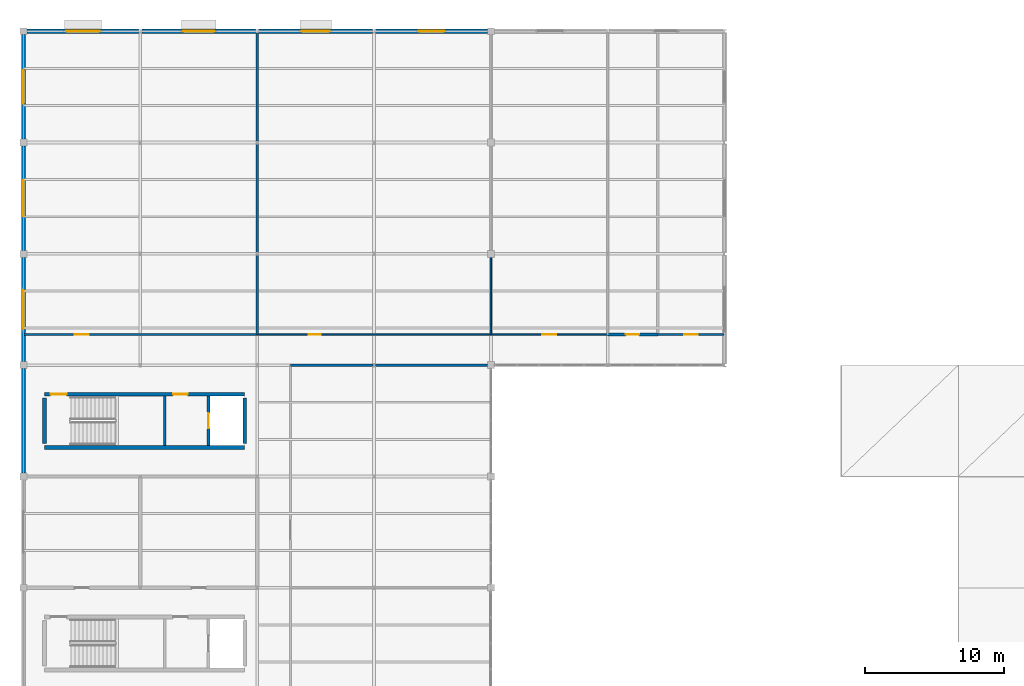
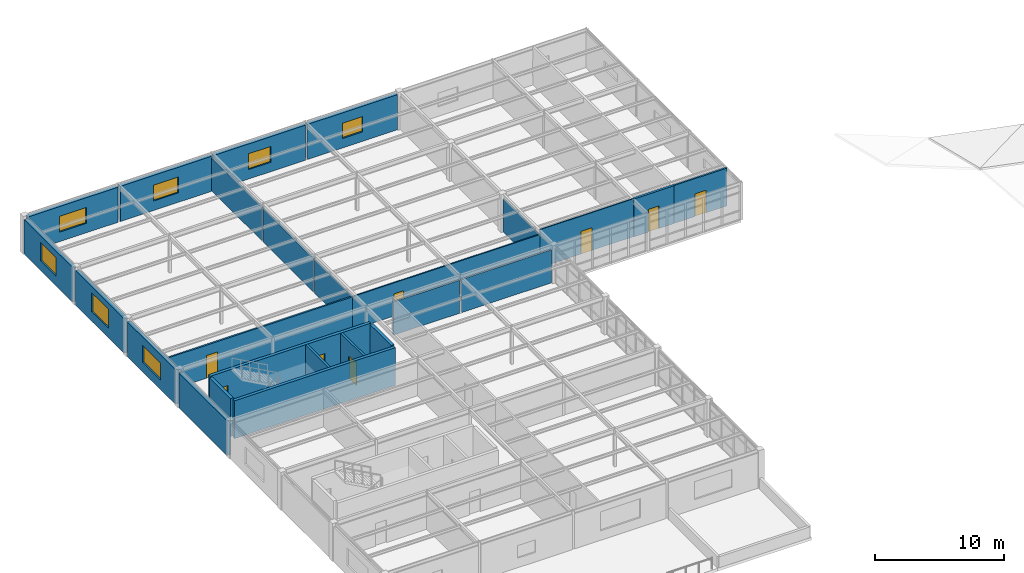
# One storey, part 26 of 32: 25 walls, 8 doors, 7 windows, 15 openings.
"""IFC4 building model written with IfcOpenShell, lengths in metres."""

from ifc_helpers import new_model, si_unit, direction, frame, frame_2d, origin, place, context, subcontext, project, spatial, rectangle, extrude, material, layer, layer_set, type_object, element, fill, save


model = new_model("IFC4")

# Units and contexts
model_context = context("Model", 3, precision=1e-05, world=origin(), true_north=direction((0.0, 1.0)))
body_context = subcontext(model_context, "Body", "Model", "MODEL_VIEW")
ifc_project = project(units=[si_unit("LENGTHUNIT", "METRE"), si_unit("AREAUNIT", "SQUARE_METRE"), si_unit("VOLUMEUNIT", "CUBIC_METRE"), si_unit("PLANEANGLEUNIT", "RADIAN"), si_unit("MASSUNIT", "GRAM", prefix="KILO")], contexts=[model_context])

# Site, building, storey
site_placement = place(None, origin())
site = spatial("IfcSite", under=ifc_project, at=site_placement, CompositionType="ELEMENT")
building_placement = place(site_placement, origin())
building = spatial("IfcBuilding", under=site, at=building_placement, Name="Kranzveld Transit Interchange", CompositionType="ELEMENT")
storey_placement = place(building_placement, frame((0.0, 0.0, 17.199951171875)))
storey = spatial("IfcBuildingStorey", under=building, at=storey_placement, Name="L04", CompositionType="ELEMENT", Elevation=17.199951171875)

# Walls
ifc_material_1 = material(Name="Clay masonry unit wall, 20 MPa", Category="masonry")
ifc_layer_1 = layer(ifc_material_1, 0.1650390625)
ifc_layer_set_1 = layer_set([ifc_layer_1], Name="Clay masonry unit wall, 20 MPa")
wall_type_1 = type_object("IfcWallType", Name="Acoustic Double-Stud Partition 165", PredefinedType="PARTITIONING", material=ifc_layer_set_1)
wall_1_placement = place(storey_placement, frame((19.199951171875, 88.0, 0.0), z_axis=(0.0, 0.0, 1.0), x_axis=(1.0, 0.0, 0.0)))
element("IfcWall", 1, at=wall_1_placement, inside=storey, type_object=wall_type_1, Name="L04 Partition IW-L04-L04V5E-N-413-0", PredefinedType="PARTITIONING", context=body_context, shape_type="SweptSolid", body=[
    extrude(rectangle(XDim=5.9072265625, YDim=0.1650390625, at=frame_2d((2.95361328125, 0.0))), origin(), (0.0, 0.0, 1.0), 3.13671875),
])
wall_2_placement = place(storey_placement, frame((25.29296875, 88.0, 0.0), z_axis=(0.0, 0.0, 1.0), x_axis=(1.0, 0.0, 0.0)))
element("IfcWall", 2, at=wall_2_placement, inside=storey, type_object=wall_type_1, Name="L04 Partition IW-L04-L04V5E-N-413-1", PredefinedType="PARTITIONING", context=body_context, shape_type="SweptSolid", body=[
    extrude(rectangle(XDim=8.067138671875, YDim=0.1650390625, at=frame_2d((4.03369140625, 0.0))), origin(), (0.0, 0.0, 1.0), 3.13671875),
])
ifc_material_2 = material(Name="Concrete C40/50", Category="concrete")
ifc_layer_2 = layer(ifc_material_2, 0.27490234375)
ifc_layer_set_2 = layer_set([ifc_layer_2], Name="Concrete C40/50")
wall_type_2 = type_object("IfcWallType", Name="Core Upper Wall RC 275 C40/50", PredefinedType="SHEAR", material=ifc_layer_set_2)
wall_3_placement = place(storey_placement, frame((1.5, 82.090087890625, 0.0), z_axis=(0.0, 0.0, 1.0), x_axis=(1.0, 0.0, 0.0)))
element("IfcWall", 3, at=wall_3_placement, inside=storey, type_object=wall_type_2, Name="L04 Operations Core C2 Shear Wall S", PredefinedType="SHEAR", context=body_context, shape_type="SweptSolid", body=[
    extrude(rectangle(XDim=14.39990234375, YDim=0.27490234375, at=frame_2d((7.199951171875, 0.0))), origin(), (0.0, 0.0, 1.0), 3.590087890625),
])

# Wall, openings, doors
wall_4_placement = place(storey_placement, frame((1.5, 85.909912109375, 0.0), z_axis=(0.0, 0.0, 1.0), x_axis=(1.0, 0.0, 0.0)))
wall_4 = element("IfcWall", 4, at=wall_4_placement, inside=storey, type_object=wall_type_2, Name="L04 Operations Core C2 Shear Wall N", PredefinedType="SHEAR", context=body_context, shape_type="SweptSolid", body=[
    extrude(rectangle(XDim=14.39990234375, YDim=0.27490234375, at=frame_2d((7.199951171875, 0.0))), origin(), (0.0, 0.0, 1.0), 3.590087890625),
])
opening_1_placement = place(wall_4_placement, frame((0.449951171875, 0.0, 0.0), z_axis=(0.0, 0.0, 1.0), x_axis=(1.0, 0.0, 0.0)))
opening_1 = element("IfcOpeningElement", 5, at=opening_1_placement, cuts=wall_4, Name="Opening D-ST-C2-L04", PredefinedType="OPENING", context=body_context, shape_type="SweptSolid", body=[
    extrude(rectangle(XDim=1.14990234375, YDim=2.14990234375, at=frame_2d((0.574951171875, 1.074951171875))), frame((0.0, 0.1474609375, 0.0), z_axis=(0.0, -1.0, 0.0), x_axis=(1.0, 0.0, 0.0)), (0.0, 0.0, 1.0), 0.294921875),
])
opening_2_placement = place(wall_4_placement, frame((9.25, 0.0, 0.0), z_axis=(0.0, 0.0, 1.0), x_axis=(1.0, 0.0, 0.0)))
opening_2 = element("IfcOpeningElement", 6, at=opening_2_placement, cuts=wall_4, Name="Opening D-LB-C2-L04", PredefinedType="OPENING", context=body_context, shape_type="SweptSolid", body=[
    extrude(rectangle(XDim=1.050048828125, YDim=2.14990234375, at=frame_2d((0.52490234375, 1.074951171875))), frame((0.0, 0.1474609375, 0.0), z_axis=(0.0, -1.0, 0.0), x_axis=(1.0, 0.0, 0.0)), (0.0, 0.0, 1.0), 0.294921875),
])
ifc_material_3 = material(Name="Steel S355JR", Category="steel")
door_type_1 = type_object("IfcDoorType", Name="Lift Lobby Fire Door 1050x2150 FD120S", OperationType="NOTDEFINED", PredefinedType="DOOR", material=ifc_material_3)
door_1_placement = place(opening_2_placement, origin())
door_1 = element("IfcDoor", 7, at=door_1_placement, inside=storey, type_object=door_type_1, Name="L04 Operations Core C2 Lift Protected Lobby Door", OperationType="SINGLE_SWING_RIGHT", OverallHeight=2.14990234375, OverallWidth=1.050048828125, PredefinedType="DOOR", context=body_context, shape_type="SweptSolid", body=[
    extrude(rectangle(XDim=1.050048828125, YDim=2.14990234375, at=frame_2d((0.52490234375, 1.074951171875))), frame((0.0, 0.02490234375, 0.0), z_axis=(0.0, -1.0, 0.0), x_axis=(1.0, 0.0, 0.0)), (0.0, 0.0, 1.0), 0.050048828125),
])
fill(opening_2, door_1)
ifc_material_4 = material(Name="Steel S355JR", Category="steel")
door_type_2 = type_object("IfcDoorType", Name="Stair Core Fire Door 1150x2150 FD120S", OperationType="NOTDEFINED", PredefinedType="DOOR", material=ifc_material_4)
door_2_placement = place(opening_1_placement, origin())
door_2 = element("IfcDoor", 8, at=door_2_placement, inside=storey, type_object=door_type_2, Name="L04 ST-C2 Protected Stair Door", OperationType="SINGLE_SWING_RIGHT", OverallHeight=2.14990234375, OverallWidth=1.14990234375, PredefinedType="DOOR", context=body_context, shape_type="SweptSolid", body=[
    extrude(rectangle(XDim=1.14990234375, YDim=2.14990234375, at=frame_2d((0.574951171875, 1.074951171875))), frame((0.0, 0.02490234375, 0.0), z_axis=(0.0, -1.0, 0.0), x_axis=(1.0, 0.0, 0.0)), (0.0, 0.0, 1.0), 0.050048828125),
])
fill(opening_1, door_2)

# Walls
for number, where, z_axis, x_axis, name in (
    (9, (1.5, 82.364990234375, 0.0), (0.0, 0.0, 1.0), (0.0, 1.0, 0.0), "L04 Operations Core C2 Shear Wall W"),
    (10, (15.89990234375, 82.364990234375, 0.0), (0.0, 0.0, 1.0), (0.0, 1.0, 0.0), "L04 Operations Core C2 Shear Wall E"),
):
    element("IfcWall", number, at=place(storey_placement, frame(where, z_axis=z_axis, x_axis=x_axis)), inside=storey, type_object=wall_type_2, Name=name, PredefinedType="SHEAR", context=body_context, shape_type="SweptSolid", body=[
        extrude(rectangle(XDim=3.27001953125, YDim=0.27490234375, at=frame_2d((1.635009765625, 0.0))), origin(), (0.0, 0.0, 1.0), 3.590087890625),
    ])
ifc_material_5 = material(Name="Pretoria red-purple clinker clay face brick, 35 MPa", Category="masonry")
ifc_layer_3 = layer(ifc_material_5, 0.320068359375)
ifc_layer_set_3 = layer_set([ifc_layer_3], Name="Pretoria red-purple clinker clay face brick, 35 MPa")
wall_type_3 = type_object("IfcWallType", Name="Exterior Upper Wall Red Clinker 320", PredefinedType="SOLIDWALL", material=ifc_layer_set_3)
wall_5_placement = place(storey_placement, frame((0.0, 80.25, 0.0), z_axis=(0.0, 0.0, 1.0), x_axis=(0.0, 1.0, 0.0)))
element("IfcWall", 11, at=wall_5_placement, inside=storey, type_object=wall_type_3, Name="L04 Clinker Facade Wall 01/L-01/M", PredefinedType="SOLIDWALL", context=body_context, shape_type="SweptSolid", body=[
    extrude(rectangle(XDim=7.5, YDim=0.320068359375, at=frame_2d((3.75, 0.0))), origin(), (0.0, 0.0, 1.0), 3.2900390625),
])

# Wall, opening, window
wall_6_placement = place(storey_placement, frame((0.0, 88.25, 0.0), z_axis=(0.0, 0.0, 1.0), x_axis=(0.0, 1.0, 0.0)))
wall_6 = element("IfcWall", 12, at=wall_6_placement, inside=storey, type_object=wall_type_3, Name="L04 Clinker Facade Wall 01/M-01/N", PredefinedType="SOLIDWALL", context=body_context, shape_type="SweptSolid", body=[
    extrude(rectangle(XDim=7.5, YDim=0.320068359375, at=frame_2d((3.75, 0.0))), origin(), (0.0, 0.0, 1.0), 3.2900390625),
])
opening_3_placement = place(wall_6_placement, frame((2.35009765625, 0.0, 0.89990234375), z_axis=(0.0, 0.0, 1.0), x_axis=(1.0, 0.0, 0.0)))
opening_3 = element("IfcOpeningElement", 13, at=opening_3_placement, cuts=wall_6, Name="Opening W-05", PredefinedType="OPENING", context=body_context, shape_type="SweptSolid", body=[
    extrude(rectangle(XDim=2.800048828125, YDim=1.60009765625, at=frame_2d((1.39990234375, 0.800048828125))), frame((0.0, 0.169921875, 0.0), z_axis=(0.0, -1.0, 0.0), x_axis=(1.0, 0.0, 0.0)), (0.0, 0.0, 1.0), 0.340087890625),
])
ifc_material_6 = material(Name="Solar-control double glazing", Category="glass")
window_type_1 = type_object("IfcWindowType", Name="Window Ribbon Double 2800x1600", PartitioningType="DOUBLE_PANEL_VERTICAL", PredefinedType="WINDOW", material=ifc_material_6)
window_1_placement = place(opening_3_placement, origin())
window_1 = element("IfcWindow", 14, at=window_1_placement, inside=storey, type_object=window_type_1, Name="L04 Facade Window 01/M", OverallHeight=1.60009765625, OverallWidth=2.800048828125, PartitioningType="DOUBLE_PANEL_VERTICAL", PredefinedType="WINDOW", context=body_context, shape_type="SweptSolid", body=[
    extrude(rectangle(XDim=2.800048828125, YDim=1.60009765625, at=frame_2d((1.39990234375, 0.800048828125))), frame((0.0, 0.030029296875, 0.0), z_axis=(0.0, -1.0, 0.0), x_axis=(1.0, 0.0, 0.0)), (0.0, 0.0, 1.0), 0.06005859375),
])
fill(opening_3, window_1)

wall_7_placement = place(storey_placement, frame((0.0, 96.25, 0.0), z_axis=(0.0, 0.0, 1.0), x_axis=(0.0, 1.0, 0.0)))
wall_7 = element("IfcWall", 15, at=wall_7_placement, inside=storey, type_object=wall_type_3, Name="L04 Clinker Facade Wall 01/N-01/P", PredefinedType="SOLIDWALL", context=body_context, shape_type="SweptSolid", body=[
    extrude(rectangle(XDim=7.5, YDim=0.320068359375, at=frame_2d((3.75, 0.0))), origin(), (0.0, 0.0, 1.0), 3.2900390625),
])
opening_4_placement = place(wall_7_placement, frame((2.449951171875, 0.0, 0.89990234375), z_axis=(0.0, 0.0, 1.0), x_axis=(1.0, 0.0, 0.0)))
opening_4 = element("IfcOpeningElement", 16, at=opening_4_placement, cuts=wall_7, Name="Opening W-06", PredefinedType="OPENING", context=body_context, shape_type="SweptSolid", body=[
    extrude(rectangle(XDim=2.60009765625, YDim=1.800048828125, at=frame_2d((1.300048828125, 0.89990234375))), frame((0.0, 0.169921875, 0.0), z_axis=(0.0, -1.0, 0.0), x_axis=(1.0, 0.0, 0.0)), (0.0, 0.0, 1.0), 0.340087890625),
])
ifc_material_7 = material(Name="Solar-control double glazing", Category="glass")
window_type_2 = type_object("IfcWindowType", Name="Window Civic Double 2600x1800", PartitioningType="DOUBLE_PANEL_VERTICAL", PredefinedType="WINDOW", material=ifc_material_7)
window_2_placement = place(opening_4_placement, origin())
window_2 = element("IfcWindow", 17, at=window_2_placement, inside=storey, type_object=window_type_2, Name="L04 Facade Window 01/N", OverallHeight=1.800048828125, OverallWidth=2.60009765625, PartitioningType="DOUBLE_PANEL_VERTICAL", PredefinedType="WINDOW", context=body_context, shape_type="SweptSolid", body=[
    extrude(rectangle(XDim=2.60009765625, YDim=1.800048828125, at=frame_2d((1.300048828125, 0.89990234375))), frame((0.0, 0.030029296875, 0.0), z_axis=(0.0, -1.0, 0.0), x_axis=(1.0, 0.0, 0.0)), (0.0, 0.0, 1.0), 0.06005859375),
])
fill(opening_4, window_2)

wall_8_placement = place(storey_placement, frame((0.0, 104.25, 0.0), z_axis=(0.0, 0.0, 1.0), x_axis=(0.0, 1.0, 0.0)))
wall_8 = element("IfcWall", 18, at=wall_8_placement, inside=storey, type_object=wall_type_3, Name="L04 Clinker Facade Wall 01/P-01/Q", PredefinedType="SOLIDWALL", context=body_context, shape_type="SweptSolid", body=[
    extrude(rectangle(XDim=7.5, YDim=0.320068359375, at=frame_2d((3.75, 0.0))), origin(), (0.0, 0.0, 1.0), 3.2900390625),
])
opening_5_placement = place(wall_8_placement, frame((2.550048828125, 0.0, 0.89990234375), z_axis=(0.0, 0.0, 1.0), x_axis=(1.0, 0.0, 0.0)))
opening_5 = element("IfcOpeningElement", 19, at=opening_5_placement, cuts=wall_8, Name="Opening W-07", PredefinedType="OPENING", context=body_context, shape_type="SweptSolid", body=[
    extrude(rectangle(XDim=2.39990234375, YDim=1.75, at=frame_2d((1.199951171875, 0.875))), frame((0.0, 0.169921875, 0.0), z_axis=(0.0, -1.0, 0.0), x_axis=(1.0, 0.0, 0.0)), (0.0, 0.0, 1.0), 0.340087890625),
])
ifc_material_8 = material(Name="Solar-control double glazing", Category="glass")
window_type_3 = type_object("IfcWindowType", Name="Window Civic Double 2400x1750", PartitioningType="DOUBLE_PANEL_VERTICAL", PredefinedType="WINDOW", material=ifc_material_8)
window_3_placement = place(opening_5_placement, origin())
window_3 = element("IfcWindow", 20, at=window_3_placement, inside=storey, type_object=window_type_3, Name="L04 Facade Window 01/P", OverallHeight=1.75, OverallWidth=2.39990234375, PartitioningType="DOUBLE_PANEL_VERTICAL", PredefinedType="WINDOW", context=body_context, shape_type="SweptSolid", body=[
    extrude(rectangle(XDim=2.39990234375, YDim=1.75, at=frame_2d((1.199951171875, 0.875))), frame((0.0, 0.030029296875, 0.0), z_axis=(0.0, -1.0, 0.0), x_axis=(1.0, 0.0, 0.0)), (0.0, 0.0, 1.0), 0.06005859375),
])
fill(opening_5, window_3)

wall_9_placement = place(storey_placement, frame((0.25, 112.0, 0.0), z_axis=(0.0, 0.0, 1.0), x_axis=(1.0, 0.0, 0.0)))
wall_9 = element("IfcWall", 21, at=wall_9_placement, inside=storey, type_object=wall_type_3, Name="L04 Clinker Facade Wall 01/Q-02/Q", PredefinedType="SOLIDWALL", context=body_context, shape_type="SweptSolid", body=[
    extrude(rectangle(XDim=8.047119140625, YDim=0.320068359375, at=frame_2d((4.0234375, 0.0))), origin(), (0.0, 0.0, 1.0), 3.330078125),
])
opening_6_placement = place(wall_9_placement, frame((2.823486328125, 0.0, 0.89990234375), z_axis=(0.0, 0.0, 1.0), x_axis=(1.0, 0.0, 0.0)))
opening_6 = element("IfcOpeningElement", 22, at=opening_6_placement, cuts=wall_9, Name="Opening W-08", PredefinedType="OPENING", context=body_context, shape_type="SweptSolid", body=[
    extrude(rectangle(XDim=2.39990234375, YDim=1.5, at=frame_2d((1.199951171875, 0.75))), frame((0.0, 0.169921875, 0.0), z_axis=(0.0, -1.0, 0.0), x_axis=(1.0, 0.0, 0.0)), (0.0, 0.0, 1.0), 0.340087890625),
])
ifc_material_9 = material(Name="Solar-control double glazing", Category="glass")
window_type_4 = type_object("IfcWindowType", Name="Window Civic Double 2400x1500", PartitioningType="DOUBLE_PANEL_VERTICAL", PredefinedType="WINDOW", material=ifc_material_9)
window_4_placement = place(opening_6_placement, origin())
window_4 = element("IfcWindow", 23, at=window_4_placement, inside=storey, type_object=window_type_4, Name="L04 Facade Window 01/Q", OverallHeight=1.5, OverallWidth=2.39990234375, PartitioningType="DOUBLE_PANEL_VERTICAL", PredefinedType="WINDOW", context=body_context, shape_type="SweptSolid", body=[
    extrude(rectangle(XDim=2.39990234375, YDim=1.5, at=frame_2d((1.199951171875, 0.75))), frame((0.0, 0.030029296875, 0.0), z_axis=(0.0, -1.0, 0.0), x_axis=(1.0, 0.0, 0.0)), (0.0, 0.0, 1.0), 0.06005859375),
])
fill(opening_6, window_4)

wall_10_placement = place(storey_placement, frame((8.5029296875, 112.0, 0.0), z_axis=(0.0, 0.0, 1.0), x_axis=(1.0, 0.0, 0.0)))
wall_10 = element("IfcWall", 24, at=wall_10_placement, inside=storey, type_object=wall_type_3, Name="L04 Clinker Facade Wall 02/Q-03/Q", PredefinedType="SOLIDWALL", context=body_context, shape_type="SweptSolid", body=[
    extrude(rectangle(XDim=8.194091796875, YDim=0.320068359375, at=frame_2d((4.09716796875, 0.0))), origin(), (0.0, 0.0, 1.0), 3.330078125),
])
opening_7_placement = place(wall_10_placement, frame((2.9970703125, 0.0, 0.89990234375), z_axis=(0.0, 0.0, 1.0), x_axis=(1.0, 0.0, 0.0)))
opening_7 = element("IfcOpeningElement", 25, at=opening_7_placement, cuts=wall_10, Name="Opening W-09", PredefinedType="OPENING", context=body_context, shape_type="SweptSolid", body=[
    extrude(rectangle(XDim=2.199951171875, YDim=1.5, at=frame_2d((1.10009765625, 0.75))), frame((0.0, 0.169921875, 0.0), z_axis=(0.0, -1.0, 0.0), x_axis=(1.0, 0.0, 0.0)), (0.0, 0.0, 1.0), 0.340087890625),
])
ifc_material_10 = material(Name="Solar-control double glazing", Category="glass")
window_type_5 = type_object("IfcWindowType", Name="Window Office Double 2200x1500", PartitioningType="DOUBLE_PANEL_VERTICAL", PredefinedType="WINDOW", material=ifc_material_10)
window_5_placement = place(opening_7_placement, origin())
window_5 = element("IfcWindow", 26, at=window_5_placement, inside=storey, type_object=window_type_5, Name="L04 Facade Window 02/Q", OverallHeight=1.5, OverallWidth=2.199951171875, PartitioningType="DOUBLE_PANEL_VERTICAL", PredefinedType="WINDOW", context=body_context, shape_type="SweptSolid", body=[
    extrude(rectangle(XDim=2.199951171875, YDim=1.5, at=frame_2d((1.10009765625, 0.75))), frame((0.0, 0.030029296875, 0.0), z_axis=(0.0, -1.0, 0.0), x_axis=(1.0, 0.0, 0.0)), (0.0, 0.0, 1.0), 0.06005859375),
])
fill(opening_7, window_5)

wall_11_placement = place(storey_placement, frame((16.90283203125, 112.0, 0.0), z_axis=(0.0, 0.0, 1.0), x_axis=(1.0, 0.0, 0.0)))
wall_11 = element("IfcWall", 27, at=wall_11_placement, inside=storey, type_object=wall_type_3, Name="L04 Clinker Facade Wall 03/Q-04/Q", PredefinedType="SOLIDWALL", context=body_context, shape_type="SweptSolid", body=[
    extrude(rectangle(XDim=8.1943359375, YDim=0.320068359375, at=frame_2d((4.09716796875, 0.0))), origin(), (0.0, 0.0, 1.0), 3.330078125),
])
opening_8_placement = place(wall_11_placement, frame((3.09716796875, 0.0, 0.89990234375), z_axis=(0.0, 0.0, 1.0), x_axis=(1.0, 0.0, 0.0)))
opening_8 = element("IfcOpeningElement", 28, at=opening_8_placement, cuts=wall_11, Name="Opening W-10", PredefinedType="OPENING", context=body_context, shape_type="SweptSolid", body=[
    extrude(rectangle(XDim=2.0, YDim=1.5, at=frame_2d((1.0, 0.75))), frame((0.0, 0.169921875, 0.0), z_axis=(0.0, -1.0, 0.0), x_axis=(1.0, 0.0, 0.0)), (0.0, 0.0, 1.0), 0.340087890625),
])
ifc_material_11 = material(Name="Solar-control double glazing", Category="glass")
window_type_6 = type_object("IfcWindowType", Name="Window Office Double 2000x1500", PartitioningType="DOUBLE_PANEL_VERTICAL", PredefinedType="WINDOW", material=ifc_material_11)
window_6_placement = place(opening_8_placement, origin())
window_6 = element("IfcWindow", 29, at=window_6_placement, inside=storey, type_object=window_type_6, Name="L04 Facade Window 03/Q", OverallHeight=1.5, OverallWidth=2.0, PartitioningType="DOUBLE_PANEL_VERTICAL", PredefinedType="WINDOW", context=body_context, shape_type="SweptSolid", body=[
    extrude(rectangle(XDim=2.0, YDim=1.5, at=frame_2d((1.0, 0.75))), frame((0.0, 0.030029296875, 0.0), z_axis=(0.0, -1.0, 0.0), x_axis=(1.0, 0.0, 0.0)), (0.0, 0.0, 1.0), 0.06005859375),
])
fill(opening_8, window_6)

wall_12_placement = place(storey_placement, frame((25.302978515625, 112.0, 0.0), z_axis=(0.0, 0.0, 1.0), x_axis=(1.0, 0.0, 0.0)))
wall_12 = element("IfcWall", 30, at=wall_12_placement, inside=storey, type_object=wall_type_3, Name="L04 Clinker Facade Wall 04/Q-05/Q", PredefinedType="SOLIDWALL", context=body_context, shape_type="SweptSolid", body=[
    extrude(rectangle(XDim=8.047119140625, YDim=0.320068359375, at=frame_2d((4.0234375, 0.0))), origin(), (0.0, 0.0, 1.0), 3.330078125),
])
opening_9_placement = place(wall_12_placement, frame((3.12353515625, 0.0, 0.89990234375), z_axis=(0.0, 0.0, 1.0), x_axis=(1.0, 0.0, 0.0)))
opening_9 = element("IfcOpeningElement", 31, at=opening_9_placement, cuts=wall_12, Name="Opening W-11", PredefinedType="OPENING", context=body_context, shape_type="SweptSolid", body=[
    extrude(rectangle(XDim=1.800048828125, YDim=1.449951171875, at=frame_2d((0.89990234375, 0.72509765625))), frame((0.0, 0.169921875, 0.0), z_axis=(0.0, -1.0, 0.0), x_axis=(1.0, 0.0, 0.0)), (0.0, 0.0, 1.0), 0.340087890625),
])
ifc_material_12 = material(Name="Solar-control double glazing", Category="glass")
window_type_7 = type_object("IfcWindowType", Name="Window Office Double 1800x1450", PartitioningType="DOUBLE_PANEL_VERTICAL", PredefinedType="WINDOW", material=ifc_material_12)
window_7_placement = place(opening_9_placement, origin())
window_7 = element("IfcWindow", 32, at=window_7_placement, inside=storey, type_object=window_type_7, Name="L04 Facade Window 04/Q", OverallHeight=1.449951171875, OverallWidth=1.800048828125, PartitioningType="DOUBLE_PANEL_VERTICAL", PredefinedType="WINDOW", context=body_context, shape_type="SweptSolid", body=[
    extrude(rectangle(XDim=1.800048828125, YDim=1.449951171875, at=frame_2d((0.89990234375, 0.72509765625))), frame((0.0, 0.030029296875, 0.0), z_axis=(0.0, -1.0, 0.0), x_axis=(1.0, 0.0, 0.0)), (0.0, 0.0, 1.0), 0.06005859375),
])
fill(opening_9, window_7)

# Wall, opening, door
ifc_material_13 = material(Name="Clay masonry unit wall, 20 MPa", Category="masonry")
ifc_layer_4 = layer(ifc_material_13, 0.14990234375)
ifc_layer_set_4 = layer_set([ifc_layer_4], Name="Clay masonry unit wall, 20 MPa")
wall_type_4 = type_object("IfcWallType", Name="Fire Rated Partition Wall 150 EI60", PredefinedType="PARTITIONING", material=ifc_layer_set_4)
wall_13_placement = place(storey_placement, frame((0.0400390625, 90.199951171875, 0.0), z_axis=(0.0, 0.0, 1.0), x_axis=(1.0, 0.0, 0.0)))
wall_13 = element("IfcWall", 33, at=wall_13_placement, inside=storey, type_object=wall_type_4, Name="L04 Partition IW-L04-L04V5N-FRT-409-0", PredefinedType="PARTITIONING", context=body_context, shape_type="SweptSolid", body=[
    extrude(rectangle(XDim=16.760009765625, YDim=0.14990234375, at=frame_2d((8.3798828125, 0.0))), origin(), (0.0, 0.0, 1.0), 3.13671875),
])
opening_10_placement = place(wall_13_placement, frame((3.659912109375, 0.0, 0.0), z_axis=(0.0, 0.0, 1.0), x_axis=(1.0, 0.0, 0.0)))
opening_10 = element("IfcOpeningElement", 34, at=opening_10_placement, cuts=wall_13, Name="Opening D-409", PredefinedType="OPENING", context=body_context, shape_type="SweptSolid", body=[
    extrude(rectangle(XDim=1.0, YDim=2.14990234375, at=frame_2d((0.5, 1.074951171875))), frame((0.0, 0.0849609375, 0.0), z_axis=(0.0, -1.0, 0.0), x_axis=(1.0, 0.0, 0.0)), (0.0, 0.0, 1.0), 0.169921875),
])
ifc_material_14 = material(Name="Steel S355JR", Category="steel")
door_type_3 = type_object("IfcDoorType", Name="Fire Door Single 1000x2150 FD60S", OperationType="NOTDEFINED", PredefinedType="DOOR", material=ifc_material_14)
door_3_placement = place(opening_10_placement, origin())
door_3 = element("IfcDoor", 35, at=door_3_placement, inside=storey, type_object=door_type_3, Name="L04 Interior Door D-409", OperationType="SINGLE_SWING_LEFT", OverallHeight=2.14990234375, OverallWidth=1.0, PredefinedType="DOOR", context=body_context, shape_type="SweptSolid", body=[
    extrude(rectangle(XDim=1.0, YDim=2.14990234375, at=frame_2d((0.5, 1.074951171875))), frame((0.0, 0.02490234375, 0.0), z_axis=(0.0, -1.0, 0.0), x_axis=(1.0, 0.0, 0.0)), (0.0, 0.0, 1.0), 0.050048828125),
])
fill(opening_10, door_3)

wall_14_placement = place(storey_placement, frame((45.60009765625, 90.199951171875, 0.0), z_axis=(0.0, 0.0, 1.0), x_axis=(1.0, 0.0, 0.0)))
wall_14 = element("IfcWall", 36, at=wall_14_placement, inside=storey, type_object=wall_type_4, Name="L04 Partition IW-L04-L04V5NWC-ADJ-414-0", PredefinedType="PARTITIONING", context=body_context, shape_type="SweptSolid", body=[
    extrude(rectangle(XDim=4.760009765625, YDim=0.14990234375, at=frame_2d((2.3798828125, 0.0))), origin(), (0.0, 0.0, 1.0), 3.590087890625),
])
opening_11_placement = place(wall_14_placement, frame((1.8798828125, 0.0, 0.0), z_axis=(0.0, 0.0, 1.0), x_axis=(1.0, 0.0, 0.0)))
opening_11 = element("IfcOpeningElement", 37, at=opening_11_placement, cuts=wall_14, Name="Opening D-414", PredefinedType="OPENING", context=body_context, shape_type="SweptSolid", body=[
    extrude(rectangle(XDim=1.0, YDim=2.14990234375, at=frame_2d((0.5, 1.074951171875))), frame((0.0, 0.0849609375, 0.0), z_axis=(0.0, -1.0, 0.0), x_axis=(1.0, 0.0, 0.0)), (0.0, 0.0, 1.0), 0.169921875),
])
door_4_placement = place(opening_11_placement, origin())
door_4 = element("IfcDoor", 38, at=door_4_placement, inside=storey, type_object=door_type_3, Name="L04 Interior Door D-414", OperationType="SINGLE_SWING_RIGHT", OverallHeight=2.14990234375, OverallWidth=1.0, PredefinedType="DOOR", context=body_context, shape_type="SweptSolid", body=[
    extrude(rectangle(XDim=1.0, YDim=2.14990234375, at=frame_2d((0.5, 1.074951171875))), frame((0.0, 0.02490234375, 0.0), z_axis=(0.0, -1.0, 0.0), x_axis=(1.0, 0.0, 0.0)), (0.0, 0.0, 1.0), 0.050048828125),
])
fill(opening_11, door_4)

# Walls
wall_15_placement = place(storey_placement, frame((16.800048828125, 90.199951171875, 0.0), z_axis=(0.0, 0.0, 1.0), x_axis=(0.0, 1.0, 0.0)))
element("IfcWall", 39, at=wall_15_placement, inside=storey, type_object=wall_type_4, Name="L04 Partition IW-L04-L04V5N-E-409-0", PredefinedType="PARTITIONING", context=body_context, shape_type="SweptSolid", body=[
    extrude(rectangle(XDim=5.705322265625, YDim=0.14990234375, at=frame_2d((2.8525390625, 0.0))), origin(), (0.0, 0.0, 1.0), 3.13671875),
])
for number, where, z_axis, x_axis, name in (
    (40, (16.800048828125, 96.0947265625, 0.0), (0.0, 0.0, 1.0), (0.0, 1.0, 0.0), "L04 Partition IW-L04-L04V5N-E-409-1"),
    (41, (16.800048828125, 104.0947265625, 0.0), (0.0, 0.0, 1.0), (0.0, 1.0, 0.0), "L04 Partition IW-L04-L04V5N-E-409-2"),
):
    element("IfcWall", number, at=place(storey_placement, frame(where, z_axis=z_axis, x_axis=x_axis)), inside=storey, type_object=wall_type_4, Name=name, PredefinedType="PARTITIONING", context=body_context, shape_type="SweptSolid", body=[
        extrude(rectangle(XDim=7.810546875, YDim=0.14990234375, at=frame_2d((3.9052734375, 0.0))), origin(), (0.0, 0.0, 1.0), 3.13671875),
    ])

# Wall, opening, door
ifc_material_15 = material(Name="Clay masonry unit wall, 20 MPa", Category="masonry")
ifc_layer_5 = layer(ifc_material_15, 0.114990234375)
ifc_layer_set_5 = layer_set([ifc_layer_5], Name="Clay masonry unit wall, 20 MPa")
wall_type_5 = type_object("IfcWallType", Name="Internal Masonry Partition 115", PredefinedType="PARTITIONING", material=ifc_layer_set_5)
wall_16_placement = place(storey_placement, frame((16.800048828125, 90.199951171875, 0.0), z_axis=(0.0, 0.0, 1.0), x_axis=(1.0, 0.0, 0.0)))
wall_16 = element("IfcWall", 42, at=wall_16_placement, inside=storey, type_object=wall_type_5, Name="L04 Partition IW-L04-L04V5N-FRT-407-0", PredefinedType="PARTITIONING", context=body_context, shape_type="SweptSolid", body=[
    extrude(rectangle(XDim=16.800048828125, YDim=0.114990234375, at=frame_2d((8.39990234375, 0.0))), origin(), (0.0, 0.0, 1.0), 3.13671875),
])
opening_12_placement = place(wall_16_placement, frame((3.699951171875, 0.0, 0.0), z_axis=(0.0, 0.0, 1.0), x_axis=(1.0, 0.0, 0.0)))
opening_12 = element("IfcOpeningElement", 43, at=opening_12_placement, cuts=wall_16, Name="Opening D-407", PredefinedType="OPENING", context=body_context, shape_type="SweptSolid", body=[
    extrude(rectangle(XDim=0.8798828125, YDim=2.10009765625, at=frame_2d((0.43994140625, 1.050048828125))), frame((0.0, 0.0673828125, 0.0), z_axis=(0.0, -1.0, 0.0), x_axis=(1.0, 0.0, 0.0)), (0.0, 0.0, 1.0), 0.135009765625),
])
ifc_material_16 = material(Name="Bronze-anodised thermally broken aluminium", Category="aluminium")
door_type_4 = type_object("IfcDoorType", Name="Store & Utility Door 880x2100", OperationType="NOTDEFINED", PredefinedType="DOOR", material=ifc_material_16)
door_5_placement = place(opening_12_placement, origin())
door_5 = element("IfcDoor", 44, at=door_5_placement, inside=storey, type_object=door_type_4, Name="L04 Interior Door D-407", OperationType="SINGLE_SWING_RIGHT", OverallHeight=2.10009765625, OverallWidth=0.8798828125, PredefinedType="DOOR", context=body_context, shape_type="SweptSolid", body=[
    extrude(rectangle(XDim=0.8798828125, YDim=2.10009765625, at=frame_2d((0.43994140625, 1.050048828125))), frame((0.0, 0.02490234375, 0.0), z_axis=(0.0, -1.0, 0.0), x_axis=(1.0, 0.0, 0.0)), (0.0, 0.0, 1.0), 0.050048828125),
])
fill(opening_12, door_5)

# Walls
wall_17_placement = place(storey_placement, frame((33.60009765625, 90.199951171875, 0.0), z_axis=(0.0, 0.0, 1.0), x_axis=(0.0, 1.0, 0.0)))
element("IfcWall", 45, at=wall_17_placement, inside=storey, type_object=wall_type_5, Name="L04 Partition IW-L04-L04V5N-E-407-0", PredefinedType="PARTITIONING", context=body_context, shape_type="SweptSolid", body=[
    extrude(rectangle(XDim=5.56005859375, YDim=0.114990234375, at=frame_2d((2.780029296875, 0.0))), origin(), (0.0, 0.0, 1.0), 3.13671875),
])
ifc_material_17 = material(Name="Concrete C40/50", Category="concrete")
ifc_layer_6 = layer(ifc_material_17, 0.199951171875)
ifc_layer_set_6 = layer_set([ifc_layer_6], Name="Concrete C40/50")
wall_type_6 = type_object("IfcWallType", Name="Lift Shaft Enclosure Wall RC 200 EI120", PredefinedType="SHEAR", material=ifc_layer_set_6)
wall_18_placement = place(storey_placement, frame((10.14990234375, 82.2275390625, 0.0), z_axis=(0.0, 0.0, 1.0), x_axis=(0.0, 1.0, 0.0)))
element("IfcWall", 46, at=wall_18_placement, inside=storey, type_object=wall_type_6, Name="L04 Operations Core C2 Stair-Lobby Dividing Wall", PredefinedType="SHEAR", context=body_context, shape_type="SweptSolid", body=[
    extrude(rectangle(XDim=3.544921875, YDim=0.199951171875, at=frame_2d((1.7724609375, 0.0))), origin(), (0.0, 0.0, 1.0), 3.590087890625),
])

# Wall, opening, door
wall_19_placement = place(storey_placement, frame((13.300048828125, 82.2275390625, 0.0), z_axis=(0.0, 0.0, 1.0), x_axis=(0.0, 1.0, 0.0)))
wall_19 = element("IfcWall", 47, at=wall_19_placement, inside=storey, type_object=wall_type_6, Name="L04 LF-C2 Shaft Front Wall", PredefinedType="SHEAR", context=body_context, shape_type="SweptSolid", body=[
    extrude(rectangle(XDim=3.544921875, YDim=0.199951171875, at=frame_2d((1.7724609375, 0.0))), origin(), (0.0, 0.0, 1.0), 3.590087890625),
])
opening_13_placement = place(wall_19_placement, frame((1.222412109375, 0.0, 0.0), z_axis=(0.0, 0.0, 1.0), x_axis=(1.0, 0.0, 0.0)))
opening_13 = element("IfcOpeningElement", 48, at=opening_13_placement, cuts=wall_19, Name="Opening LD-LF-C2-L04", PredefinedType="OPENING", context=body_context, shape_type="SweptSolid", body=[
    extrude(rectangle(XDim=1.10009765625, YDim=2.14990234375, at=frame_2d((0.550048828125, 1.074951171875))), frame((0.0, 0.10986328125, 0.0), z_axis=(0.0, -1.0, 0.0), x_axis=(1.0, 0.0, 0.0)), (0.0, 0.0, 1.0), 0.219970703125),
])
ifc_material_18 = material(Name="Steel S355JR", Category="steel")
door_type_5 = type_object("IfcDoorType", Name="Lift Landing Sliding Door 1100x2150 FD120S", OperationType="NOTDEFINED", PredefinedType="DOOR", material=ifc_material_18)
door_6_placement = place(opening_13_placement, origin())
door_6 = element("IfcDoor", 49, at=door_6_placement, inside=storey, type_object=door_type_5, Name="L04 LF-C2 Sliding Landing Door", OperationType="DOUBLE_DOOR_SLIDING", OverallHeight=2.14990234375, OverallWidth=1.10009765625, PredefinedType="DOOR", context=body_context, shape_type="SweptSolid", body=[
    extrude(rectangle(XDim=1.10009765625, YDim=2.14990234375, at=frame_2d((0.550048828125, 1.074951171875))), frame((0.0, 0.02490234375, 0.0), z_axis=(0.0, -1.0, 0.0), x_axis=(1.0, 0.0, 0.0)), (0.0, 0.0, 1.0), 0.050048828125),
])
fill(opening_13, door_6)

ifc_material_19 = material(Name="Clay masonry unit wall, 20 MPa", Category="masonry")
ifc_layer_7 = layer(ifc_material_19, 0.10009765625)
ifc_layer_set_7 = layer_set([ifc_layer_7], Name="Clay masonry unit wall, 20 MPa")
wall_type_7 = type_object("IfcWallType", Name="Lightweight Drywall Partition 100", PredefinedType="PARTITIONING", material=ifc_layer_set_7)
wall_20_placement = place(storey_placement, frame((33.60009765625, 90.199951171875, 0.0), z_axis=(0.0, 0.0, 1.0), x_axis=(1.0, 0.0, 0.0)))
wall_20 = element("IfcWall", 50, at=wall_20_placement, inside=storey, type_object=wall_type_7, Name="L04 Partition IW-L04-L04V5N-FRT-410-0", PredefinedType="PARTITIONING", context=body_context, shape_type="SweptSolid", body=[
    extrude(rectangle(XDim=8.39990234375, YDim=0.10009765625, at=frame_2d((4.199951171875, 0.0))), origin(), (0.0, 0.0, 1.0), 3.590087890625),
])
opening_14_placement = place(wall_20_placement, frame((3.699951171875, 0.0, 0.0), z_axis=(0.0, 0.0, 1.0), x_axis=(1.0, 0.0, 0.0)))
opening_14 = element("IfcOpeningElement", 51, at=opening_14_placement, cuts=wall_20, Name="Opening D-410", PredefinedType="OPENING", context=body_context, shape_type="SweptSolid", body=[
    extrude(rectangle(XDim=0.97998046875, YDim=2.14990234375, at=frame_2d((0.489990234375, 1.074951171875))), frame((0.0, 0.06005859375, 0.0), z_axis=(0.0, -1.0, 0.0), x_axis=(1.0, 0.0, 0.0)), (0.0, 0.0, 1.0), 0.1201171875),
])
ifc_material_20 = material(Name="Bronze-anodised thermally broken aluminium", Category="aluminium")
door_type_6 = type_object("IfcDoorType", Name="Retail Back-of-House Door 980x2150", OperationType="NOTDEFINED", PredefinedType="DOOR", material=ifc_material_20)
door_7_placement = place(opening_14_placement, origin())
door_7 = element("IfcDoor", 52, at=door_7_placement, inside=storey, type_object=door_type_6, Name="L04 Interior Door D-410", OperationType="SINGLE_SWING_LEFT", OverallHeight=2.14990234375, OverallWidth=0.97998046875, PredefinedType="DOOR", context=body_context, shape_type="SweptSolid", body=[
    extrude(rectangle(XDim=0.97998046875, YDim=2.14990234375, at=frame_2d((0.489990234375, 1.074951171875))), frame((0.0, 0.02490234375, 0.0), z_axis=(0.0, -1.0, 0.0), x_axis=(1.0, 0.0, 0.0)), (0.0, 0.0, 1.0), 0.050048828125),
])
fill(opening_14, door_7)

ifc_material_21 = material(Name="Clay masonry unit wall, 20 MPa", Category="masonry")
ifc_layer_8 = layer(ifc_material_21, 0.18994140625)
ifc_layer_set_8 = layer_set([ifc_layer_8], Name="Clay masonry unit wall, 20 MPa")
wall_type_8 = type_object("IfcWallType", Name="Sanitary Plumbing Wall 190", PredefinedType="PLUMBINGWALL", material=ifc_layer_set_8)
wall_21_placement = place(storey_placement, frame((42.0, 90.199951171875, 0.0), z_axis=(0.0, 0.0, 1.0), x_axis=(1.0, 0.0, 0.0)))
wall_21 = element("IfcWall", 53, at=wall_21_placement, inside=storey, type_object=wall_type_8, Name="L04 Partition IW-L04-L04V5NWC-WC-408-0", PredefinedType="PLUMBINGWALL", context=body_context, shape_type="SweptSolid", body=[
    extrude(rectangle(XDim=3.60009765625, YDim=0.18994140625, at=frame_2d((1.800048828125, 0.0))), origin(), (0.0, 0.0, 1.0), 3.590087890625),
])
opening_15_placement = place(wall_21_placement, frame((1.300048828125, 0.0, 0.0), z_axis=(0.0, 0.0, 1.0), x_axis=(1.0, 0.0, 0.0)))
opening_15 = element("IfcOpeningElement", 54, at=opening_15_placement, cuts=wall_21, Name="Opening D-408", PredefinedType="OPENING", context=body_context, shape_type="SweptSolid", body=[
    extrude(rectangle(XDim=0.949951171875, YDim=2.14990234375, at=frame_2d((0.47509765625, 1.074951171875))), frame((0.0, 0.10498046875, 0.0), z_axis=(0.0, -1.0, 0.0), x_axis=(1.0, 0.0, 0.0)), (0.0, 0.0, 1.0), 0.2099609375),
])
ifc_material_22 = material(Name="Bronze-anodised thermally broken aluminium", Category="aluminium")
door_type_7 = type_object("IfcDoorType", Name="Accessible WC Door 950x2150", OperationType="NOTDEFINED", PredefinedType="DOOR", material=ifc_material_22)
door_8_placement = place(opening_15_placement, origin())
door_8 = element("IfcDoor", 55, at=door_8_placement, inside=storey, type_object=door_type_7, Name="L04 Interior Door D-408", OperationType="SINGLE_SWING_LEFT", OverallHeight=2.14990234375, OverallWidth=0.949951171875, PredefinedType="DOOR", context=body_context, shape_type="SweptSolid", body=[
    extrude(rectangle(XDim=0.949951171875, YDim=2.14990234375, at=frame_2d((0.47509765625, 1.074951171875))), frame((0.0, 0.02490234375, 0.0), z_axis=(0.0, -1.0, 0.0), x_axis=(1.0, 0.0, 0.0)), (0.0, 0.0, 1.0), 0.050048828125),
])
fill(opening_15, door_8)

save(model, "model.ifc")
